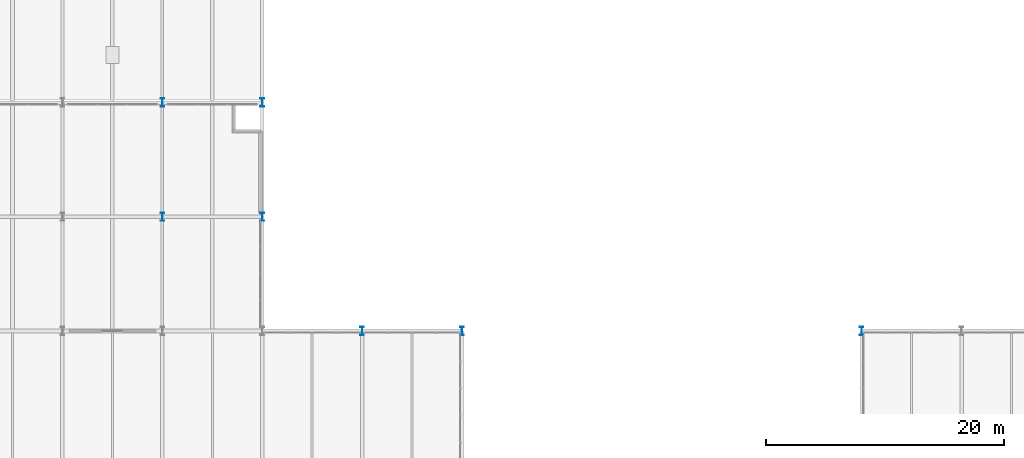
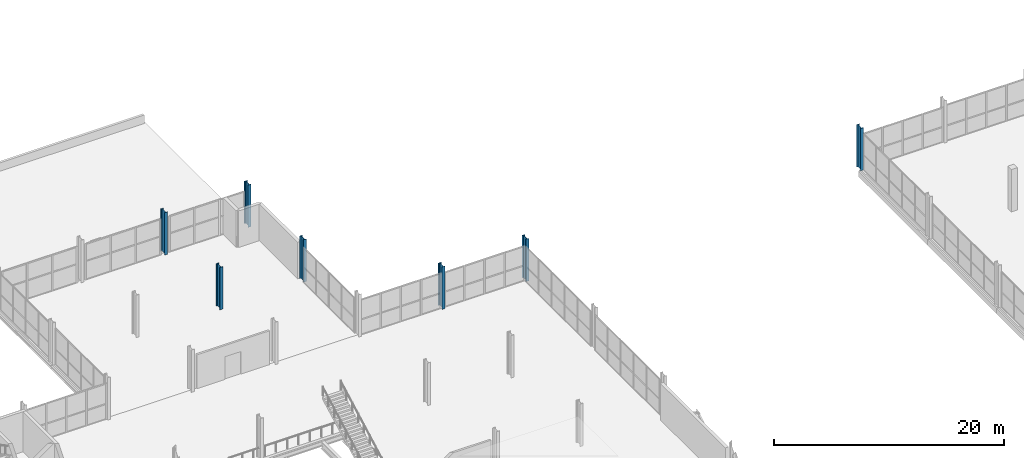
# One storey, part 10 of 113: 7 columns.
"""IFC4 building model written with IfcOpenShell, lengths in metres."""

from ifc_helpers import new_model, si_unit, direction, frame, origin, origin_2d, place, context, subcontext, project, spatial, i_section, extrude, material, material_profile, profile_set, type_object, element, save


model = new_model("IFC4")

# Units and contexts
model_context = context("Model", 3, precision=1e-05, world=origin(), true_north=direction((0.0, 1.0)))
body_context = subcontext(model_context, "Body", "Model", "MODEL_VIEW")
ifc_project = project(units=[si_unit("LENGTHUNIT", "METRE"), si_unit("AREAUNIT", "SQUARE_METRE"), si_unit("VOLUMEUNIT", "CUBIC_METRE"), si_unit("PLANEANGLEUNIT", "RADIAN"), si_unit("MASSUNIT", "GRAM", prefix="KILO")], contexts=[model_context])

# Site, building, storey
site_placement = place(None, origin())
site = spatial("IfcSite", under=ifc_project, at=site_placement, CompositionType="ELEMENT")
building_placement = place(site_placement, origin())
building = spatial("IfcBuilding", under=site, at=building_placement, Name="Veltarok Museum of Natural Sciences", CompositionType="ELEMENT")
storey_placement = place(building_placement, frame((0.0, 0.0, 8.39990234375)))
storey = spatial("IfcBuildingStorey", under=building, at=storey_placement, Name="L01", CompositionType="ELEMENT", Elevation=8.39990234375)

# Columns
ifc_material = material(Name="Steel S355J2", Category="steel")
ifc_material_profile_1 = material_profile(ifc_material, i_section(OverallWidth=0.300048828125, OverallDepth=0.699951171875, WebThickness=0.01708984375, FlangeThickness=0.031982421875, FilletRadius=0.027099609375, at=origin_2d()), Name="HEB 700")
ifc_profile_set_1 = profile_set([ifc_material_profile_1], Name="Steel S355J2")
column_type_1 = type_object("IfcColumnType", Name="Mid-Rise Frame Column HEB 700", PredefinedType="COLUMN", material=ifc_profile_set_1)
column_placement = place(storey_placement, frame((73.60009765625, 81.60009765625, 0.0), z_axis=(0.0, 0.0, 1.0), x_axis=(1.0, 0.0, 0.0)))
element("IfcColumn", 1, at=column_placement, inside=storey, type_object=column_type_1, Name="Column COL-S03 L01 9/J", PredefinedType="COLUMN", context=body_context, shape_type="SweptSolid", body=[
    extrude(i_section(OverallWidth=0.300048828125, OverallDepth=0.699951171875, WebThickness=0.01708984375, FlangeThickness=0.031982421875, FilletRadius=0.027099609375, at=origin_2d()), origin(), (0.0, 0.0, 1.0), 4.5),
])
ifc_material_profile_2 = material_profile(ifc_material, i_section(OverallWidth=0.300048828125, OverallDepth=0.699951171875, WebThickness=0.01708984375, FlangeThickness=0.031982421875, FilletRadius=0.027099609375, at=origin_2d()), Name="HEB 700")
ifc_profile_set_2 = profile_set([ifc_material_profile_2], Name="Steel S355J2")
column_type_2 = type_object("IfcColumnType", Name="Perimeter Steel Column HEB 700", PredefinedType="COLUMN", material=ifc_profile_set_2)
for number, where, z_axis, x_axis, name in (
    (2, (73.60009765625, 91.199951171875, 0.0), (0.0, 0.0, 1.0), (1.0, 0.0, 0.0), "Column COL-EXT01 L01 9/K"),
    (3, (82.0, 81.60009765625, 0.0), (0.0, 0.0, 1.0), (1.0, 0.0, 0.0), "Column COL-EXT01 L01 10/J"),
    (4, (82.0, 91.199951171875, 0.0), (0.0, 0.0, 1.0), (1.0, 0.0, 0.0), "Column COL-EXT01 L01 10/K"),
    (5, (90.39990234375, 72.0, 0.0), (0.0, 0.0, 1.0), (1.0, 0.0, 0.0), "Column COL-EXT01 L01 11/H"),
    (6, (98.800048828125, 72.0, 0.0), (0.0, 0.0, 1.0), (1.0, 0.0, 0.0), "Column COL-EXT01 L01 12/H"),
    (7, (132.39990234375, 72.0, 0.0), (0.0, 0.0, 1.0), (1.0, 0.0, 0.0), "Column COL-EXT01 L01 16/H"),
):
    element("IfcColumn", number, at=place(storey_placement, frame(where, z_axis=z_axis, x_axis=x_axis)), inside=storey, type_object=column_type_2, Name=name, PredefinedType="COLUMN", context=body_context, shape_type="SweptSolid", body=[
        extrude(i_section(OverallWidth=0.300048828125, OverallDepth=0.699951171875, WebThickness=0.01708984375, FlangeThickness=0.031982421875, FilletRadius=0.027099609375, at=origin_2d()), origin(), (0.0, 0.0, 1.0), 4.5),
    ])

save(model, "model.ifc")
